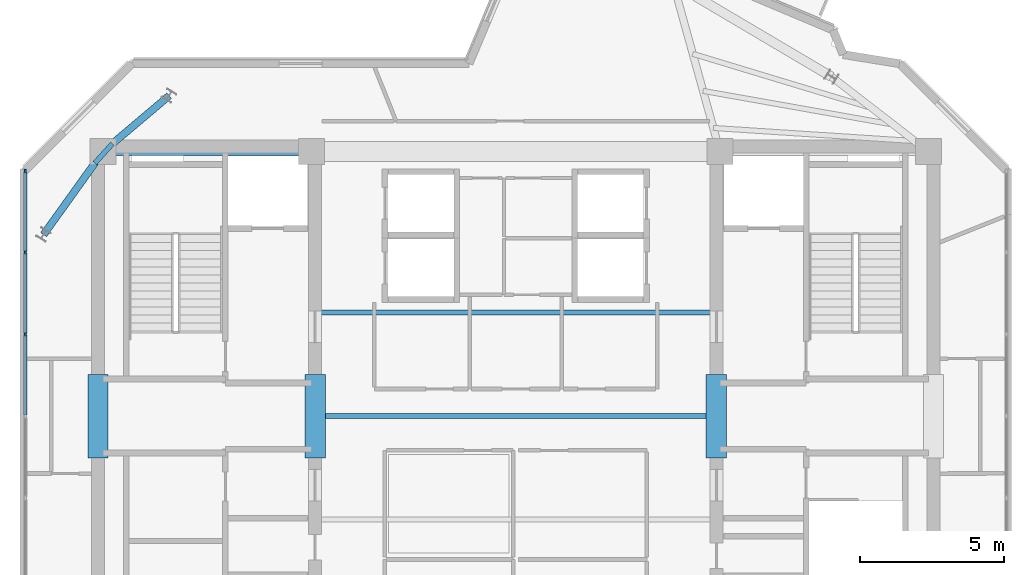
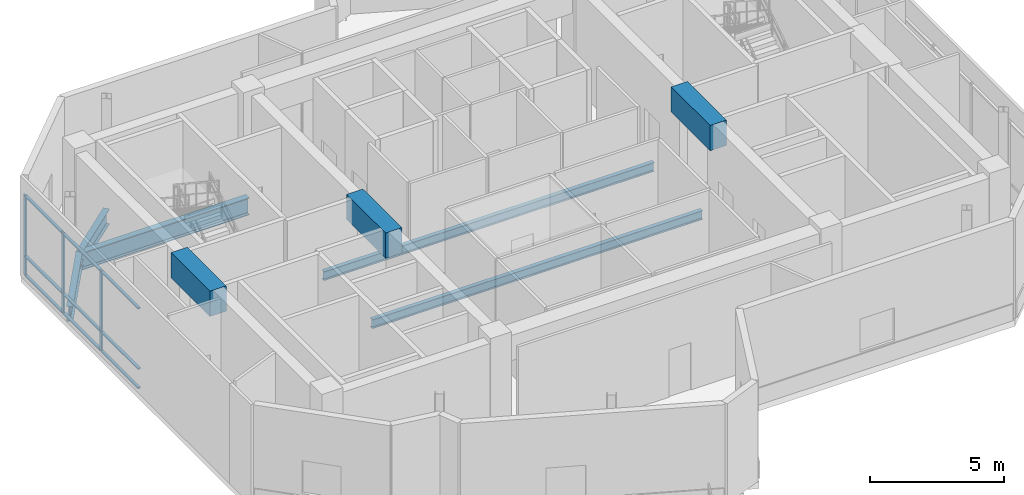
# One storey, part 3 of 11: 12 members, 9 beams, 1 element without a shape of its own.
"""IFC4 building model written with IfcOpenShell, lengths in metres."""

from ifc_helpers import new_model, si_unit, direction, frame, origin, origin_2d, place, context, subcontext, project, spatial, rectangle, i_section, extrude, source, transform, mapped, material, layer, layer_set, material_profile, profile_set, type_object, element, aggregate, save


model = new_model("IFC4")

# Units and contexts
model_context = context("Model", 3, precision=1e-05, world=origin(), true_north=direction((0.0, 1.0)))
body_context = subcontext(model_context, "Body", "Model", "MODEL_VIEW")
ifc_project = project(units=[si_unit("LENGTHUNIT", "METRE"), si_unit("AREAUNIT", "SQUARE_METRE"), si_unit("VOLUMEUNIT", "CUBIC_METRE"), si_unit("PLANEANGLEUNIT", "RADIAN"), si_unit("MASSUNIT", "GRAM", prefix="KILO")], contexts=[model_context])

# Site, building, storey
site_placement = place(None, origin())
site = spatial("IfcSite", under=ifc_project, at=site_placement, CompositionType="ELEMENT")
building_placement = place(site_placement, origin())
building = spatial("IfcBuilding", under=site, at=building_placement, Name="Zahravan Cultural Tower", CompositionType="ELEMENT")
storey_placement = place(building_placement, frame((0.0, 0.0, 365.85009765625)))
storey = spatial("IfcBuildingStorey", under=building, at=storey_placement, Name="L89", CompositionType="ELEMENT", Elevation=365.85009765625)

# Beams
ifc_material_1 = material(Name="Concrete C50/60", Category="concrete")
ifc_material_profile_1 = material_profile(ifc_material_1, rectangle(XDim=0.699951171875, YDim=1.14990234375, at=origin_2d()), Name="RC700X1150")
ifc_profile_set_1 = profile_set([ifc_material_profile_1], Name="Concrete C50/60")
beam_type_1 = type_object("IfcBeamType", Name="BM-LN-RC700X1150", PredefinedType="LINTEL", material=ifc_profile_set_1)
shared_shape_1 = source(origin(), body_context, "Body", "SweptSolid", [
    extrude(rectangle(XDim=0.699951171875, YDim=1.14990234375, at=origin_2d()), origin(), (0.0, 0.0, 1.0), 2.89990234375),
])
for number, where, z_axis, x_axis, name in (
    (1, (21.47509765625, 25.550048828125, 3.974853515625), (0.0, 1.0, 0.0), (-1.0, 0.0, 0.0), "L89 Beam LN-L89-PWW"),
    (2, (29.02490234375, 25.550048828125, 3.974853515625), (0.0, 1.0, 0.0), (-1.0, 0.0, 0.0), "L89 Beam LN-L89-PWE"),
    (3, (42.97509765625, 25.550048828125, 3.974853515625), (0.0, 1.0, 0.0), (-1.0, 0.0, 0.0), "L89 Beam LN-L89-PEW"),
):
    element("IfcBeam", number, at=place(storey_placement, frame(where, z_axis=z_axis, x_axis=x_axis)), inside=storey, type_object=beam_type_1, Name=name, PredefinedType="LINTEL", context=body_context, shape_type="MappedRepresentation", body=[
        mapped(shared_shape_1, transform((0.0, 0.0, 0.0), x_axis=(1.0, 0.0, 0.0), y_axis=(0.0, 1.0, 0.0), z_axis=(0.0, 0.0, 1.0), scale=1.0)),
    ])
ifc_material_2 = material(Name="Steel ASTM A992 Grade 50", Category="steel")
ifc_material_profile_2 = material_profile(ifc_material_2, i_section(OverallWidth=0.26611328125, OverallDepth=0.780029296875, WebThickness=0.0166015625, FlangeThickness=0.030029296875, FilletRadius=0.01904296875, at=origin_2d()), Name="W30X148")
ifc_profile_set_2 = profile_set([ifc_material_profile_2], Name="Steel ASTM A992 Grade 50")
beam_type_2 = type_object("IfcBeamType", Name="BM-G-W30X148", PredefinedType="BEAM", material=ifc_profile_set_2)
shared_shape_2 = source(origin(), body_context, "Body", "SweptSolid", [
    extrude(i_section(OverallWidth=0.26611328125, OverallDepth=0.780029296875, WebThickness=0.0166015625, FlangeThickness=0.030029296875, FilletRadius=0.01904296875, at=origin_2d()), origin(), (0.0, 0.0, 1.0), 7.25),
])
beam_1_placement = place(storey_placement, frame((21.64990234375, 36.199951171875, -0.690185546875), z_axis=(1.0, 0.0, 0.0), x_axis=(0.0, 1.0, 0.0)))
element("IfcBeam", 4, at=beam_1_placement, inside=storey, type_object=beam_type_2, Name="L89 Beam BG-L89-02", PredefinedType="BEAM", context=body_context, shape_type="MappedRepresentation", body=[
    mapped(shared_shape_2, transform((0.0, 0.0, 0.0), x_axis=(1.0, 0.0, 0.0), y_axis=(0.0, 1.0, 0.0), z_axis=(0.0, 0.0, 1.0), scale=1.0)),
])
ifc_material_profile_3 = material_profile(ifc_material_2, i_section(OverallWidth=0.177978515625, OverallDepth=0.406005859375, WebThickness=0.0078125, FlangeThickness=0.0126953125, FilletRadius=0.011962890625, at=origin_2d()), Name="W16X40")
ifc_profile_set_3 = profile_set([ifc_material_profile_3], Name="Steel ASTM A992 Grade 50")
beam_type_3 = type_object("IfcBeamType", Name="BM-J-W16X40", PredefinedType="JOIST", material=ifc_profile_set_3)
shared_shape_3 = source(origin(), body_context, "Body", "SweptSolid", [
    extrude(i_section(OverallWidth=0.177978515625, OverallDepth=0.406005859375, WebThickness=0.0078125, FlangeThickness=0.0126953125, FilletRadius=0.011962890625, at=origin_2d()), origin(), (0.0, 0.0, 1.0), 14.2001953125),
])
for number, where, z_axis, x_axis, name in (
    (5, (28.89990234375, 27.0, -0.503173828125), (1.0, 0.0, 0.0), (0.0, 1.0, 0.0), "L89 Beam BJ-L89-22"),
    (6, (28.89990234375, 30.60009765625, -0.503173828125), (1.0, 0.0, 0.0), (0.0, 1.0, 0.0), "L89 Beam BJ-L89-23"),
):
    element("IfcBeam", number, at=place(storey_placement, frame(where, z_axis=z_axis, x_axis=x_axis)), inside=storey, type_object=beam_type_3, Name=name, PredefinedType="JOIST", context=body_context, shape_type="MappedRepresentation", body=[
        mapped(shared_shape_3, transform((0.0, 0.0, 0.0), x_axis=(1.0, 0.0, 0.0), y_axis=(0.0, 1.0, 0.0), z_axis=(0.0, 0.0, 1.0), scale=1.0)),
    ])
shared_shape_4 = source(origin(), body_context, "Body", "SweptSolid", [
    extrude(i_section(OverallWidth=0.177978515625, OverallDepth=0.406005859375, WebThickness=0.0078125, FlangeThickness=0.0126953125, FilletRadius=0.011962890625, at=origin_2d()), origin(), (0.0, 0.0, 1.0), 0.91162109375),
])
beam_2_placement = place(storey_placement, frame((21.97119140625, 36.4716796875, -0.503173828125), z_axis=(-0.670590689022, -0.741827559341, 0.0), x_axis=(0.741827559341, -0.670590689022, 0.0)))
element("IfcBeam", 7, at=beam_2_placement, inside=storey, type_object=beam_type_3, Name="L89 Beam BJ-L89-48", PredefinedType="JOIST", context=body_context, shape_type="MappedRepresentation", body=[
    mapped(shared_shape_4, transform((0.0, 0.0, 0.0), x_axis=(1.0, 0.0, 0.0), y_axis=(0.0, 1.0, 0.0), z_axis=(0.0, 0.0, 1.0), scale=1.0)),
])
ifc_material_profile_4 = material_profile(ifc_material_2, i_section(OverallWidth=0.25390625, OverallDepth=0.68798828125, WebThickness=0.01318359375, FlangeThickness=0.02099609375, FilletRadius=0.01806640625, at=origin_2d()), Name="W27X102")
ifc_profile_set_4 = profile_set([ifc_material_profile_4], Name="Steel ASTM A992 Grade 50")
beam_type_4 = type_object("IfcBeamType", Name="BM-G-W27X102", PredefinedType="BEAM", material=ifc_profile_set_4)
shared_shape_5 = source(origin(), body_context, "Body", "SweptSolid", [
    extrude(i_section(OverallWidth=0.25390625, OverallDepth=0.68798828125, WebThickness=0.01318359375, FlangeThickness=0.02099609375, FilletRadius=0.01806640625, at=origin_2d()), origin(), (0.0, 0.0, 1.0), 3.00537109375),
])
beam_3_placement = place(storey_placement, frame((21.64990234375, 36.199951171875, -0.64404296875), z_axis=(0.763546494847, 0.645752855361, 0.0), x_axis=(-0.645752855361, 0.763546494847, 0.0)))
element("IfcBeam", 8, at=beam_3_placement, inside=storey, type_object=beam_type_4, Name="L89 Beam BG-L89-13", PredefinedType="BEAM", context=body_context, shape_type="MappedRepresentation", body=[
    mapped(shared_shape_5, transform((0.0, 0.0, 0.0), x_axis=(1.0, 0.0, 0.0), y_axis=(0.0, 1.0, 0.0), z_axis=(0.0, 0.0, 1.0), scale=1.0)),
])
shared_shape_6 = source(origin(), body_context, "Body", "SweptSolid", [
    extrude(i_section(OverallWidth=0.25390625, OverallDepth=0.68798828125, WebThickness=0.01318359375, FlangeThickness=0.02099609375, FilletRadius=0.01806640625, at=origin_2d()), origin(), (0.0, 0.0, 1.0), 3.5556640625),
])
beam_4_placement = place(storey_placement, frame((21.64990234375, 36.199951171875, -0.64404296875), z_axis=(-0.58288028137, -0.812558045674, 0.0), x_axis=(0.812558045674, -0.58288028137, 0.0)))
element("IfcBeam", 9, at=beam_4_placement, inside=storey, type_object=beam_type_4, Name="L89 Beam BG-L89-14", PredefinedType="BEAM", context=body_context, shape_type="MappedRepresentation", body=[
    mapped(shared_shape_6, transform((0.0, 0.0, 0.0), x_axis=(1.0, 0.0, 0.0), y_axis=(0.0, 1.0, 0.0), z_axis=(0.0, 0.0, 1.0), scale=1.0)),
])

# Curtain wall, members
ifc_material_3 = material(Name="Anodised bronze-aluminium mullion", Category="aluminium")
ifc_layer = layer(ifc_material_3, 0.14990234375)
ifc_layer_set = layer_set([ifc_layer], Name="Anodised bronze-aluminium mullion")
curtain_wall_type = type_object("IfcCurtainWallType", Name="CW-SYS-6", PredefinedType="USERDEFINED", material=ifc_layer_set)
curtain_wall_placement = place(storey_placement, origin())
curtain_wall = element("IfcCurtainWall", 10, at=curtain_wall_placement, inside=storey, type_object=curtain_wall_type, Name="L89 Recessed Curtain Wall CW-6.2", ObjectType="OBSERVATORY LANTERN", PredefinedType="USERDEFINED")
ifc_material_profile_5 = material_profile(ifc_material_3, rectangle(XDim=0.06005859375, YDim=0.14990234375, at=origin_2d()), Name="AL-M60X150")
ifc_profile_set_5 = profile_set([ifc_material_profile_5], Name="Anodised bronze-aluminium mullion")
member_type_1 = type_object("IfcMemberType", Name="CWM-CW-6", PredefinedType="MULLION", material=ifc_profile_set_5)
shared_shape_7 = source(origin(), body_context, "Body", "SweptSolid", [
    extrude(rectangle(XDim=0.06005859375, YDim=0.14990234375, at=origin_2d()), origin(), (0.0, 0.0, 1.0), 3.669921875),
])
member_1_placement = place(storey_placement, frame((18.93994140625, 29.847412109375, 0.0), z_axis=(0.0, 0.0, 1.0), x_axis=(-1.0, 0.0, 0.0)))
member_1 = element("IfcMember", 11, at=member_1_placement, type_object=member_type_1, Name="CW-6 mullion 5", PredefinedType="MULLION", context=body_context, shape_type="MappedRepresentation", body=[
    mapped(shared_shape_7, transform((0.0, 0.0, 0.0), x_axis=(1.0, 0.0, 0.0), y_axis=(0.0, 1.0, 0.0), z_axis=(0.0, 0.0, 1.0), scale=1.0)),
])
member_2_placement = place(storey_placement, frame((18.93994140625, 32.694580078125, 0.0), z_axis=(0.0, 0.0, 1.0), x_axis=(-1.0, 0.0, 0.0)))
member_2 = element("IfcMember", 12, at=member_2_placement, type_object=member_type_1, Name="CW-6 mullion 6", PredefinedType="MULLION", context=body_context, shape_type="MappedRepresentation", body=[
    mapped(shared_shape_7, transform((0.0, 0.0, 0.0), x_axis=(1.0, 0.0, 0.0), y_axis=(0.0, 1.0, 0.0), z_axis=(0.0, 0.0, 1.0), scale=1.0)),
])
member_3_placement = place(storey_placement, frame((18.93994140625, 35.511962890625, 0.0), z_axis=(0.0, 0.0, 1.0), x_axis=(-1.0, 0.0, 0.0)))
member_3 = element("IfcMember", 13, at=member_3_placement, type_object=member_type_1, Name="CW-6 mullion 7", PredefinedType="MULLION", context=body_context, shape_type="MappedRepresentation", body=[
    mapped(shared_shape_7, transform((0.0, 0.0, 0.0), x_axis=(1.0, 0.0, 0.0), y_axis=(0.0, 1.0, 0.0), z_axis=(0.0, 0.0, 1.0), scale=1.0)),
])
ifc_material_profile_6 = material_profile(ifc_material_3, rectangle(XDim=0.1201171875, YDim=0.06005859375, at=origin_2d()), Name="AL-T60X120")
ifc_profile_set_6 = profile_set([ifc_material_profile_6], Name="Anodised bronze-aluminium mullion")
member_type_2 = type_object("IfcMemberType", Name="CWT-CW-6", PredefinedType="USERDEFINED", material=ifc_profile_set_6)
shared_shape_8 = source(origin(), body_context, "Body", "SweptSolid", [
    extrude(rectangle(XDim=0.1201171875, YDim=0.06005859375, at=origin_2d()), origin(), (0.0, 0.0, 1.0), 2.75732421875),
])
member_4_placement = place(storey_placement, frame((18.93994140625, 32.724609375, 0.02978515625), z_axis=(0.0, 1.0, 0.0), x_axis=(-1.0, 0.0, 0.0)))
member_4 = element("IfcMember", 14, at=member_4_placement, type_object=member_type_2, Name="CW-6 transom 6.1", ObjectType="TRANSOM", PredefinedType="USERDEFINED", context=body_context, shape_type="MappedRepresentation", body=[
    mapped(shared_shape_8, transform((0.0, 0.0, 0.0), x_axis=(1.0, 0.0, 0.0), y_axis=(0.0, 1.0, 0.0), z_axis=(0.0, 0.0, 1.0), scale=1.0)),
])
member_5_placement = place(storey_placement, frame((18.93994140625, 32.724609375, 0.89990234375), z_axis=(0.0, 1.0, 0.0), x_axis=(-1.0, 0.0, 0.0)))
member_5 = element("IfcMember", 15, at=member_5_placement, type_object=member_type_2, Name="CW-6 transom 6.2", ObjectType="TRANSOM", PredefinedType="USERDEFINED", context=body_context, shape_type="MappedRepresentation", body=[
    mapped(shared_shape_8, transform((0.0, 0.0, 0.0), x_axis=(1.0, 0.0, 0.0), y_axis=(0.0, 1.0, 0.0), z_axis=(0.0, 0.0, 1.0), scale=1.0)),
])
member_6_placement = place(storey_placement, frame((18.93994140625, 32.724609375, 3.639892578125), z_axis=(0.0, 1.0, 0.0), x_axis=(-1.0, 0.0, 0.0)))
member_6 = element("IfcMember", 16, at=member_6_placement, type_object=member_type_2, Name="CW-6 transom 6.3", ObjectType="TRANSOM", PredefinedType="USERDEFINED", context=body_context, shape_type="MappedRepresentation", body=[
    mapped(shared_shape_8, transform((0.0, 0.0, 0.0), x_axis=(1.0, 0.0, 0.0), y_axis=(0.0, 1.0, 0.0), z_axis=(0.0, 0.0, 1.0), scale=1.0)),
])
shared_shape_9 = source(origin(), body_context, "Body", "SweptSolid", [
    extrude(rectangle(XDim=0.1201171875, YDim=0.06005859375, at=origin_2d()), origin(), (0.0, 0.0, 1.0), 2.787109375),
])
member_7_placement = place(storey_placement, frame((18.93994140625, 29.87744140625, 0.02978515625), z_axis=(0.0, 1.0, 0.0), x_axis=(-1.0, 0.0, 0.0)))
member_7 = element("IfcMember", 17, at=member_7_placement, type_object=member_type_2, Name="CW-6 transom 5.1", ObjectType="TRANSOM", PredefinedType="USERDEFINED", context=body_context, shape_type="MappedRepresentation", body=[
    mapped(shared_shape_9, transform((0.0, 0.0, 0.0), x_axis=(1.0, 0.0, 0.0), y_axis=(0.0, 1.0, 0.0), z_axis=(0.0, 0.0, 1.0), scale=1.0)),
])
member_8_placement = place(storey_placement, frame((18.93994140625, 29.87744140625, 0.89990234375), z_axis=(0.0, 1.0, 0.0), x_axis=(-1.0, 0.0, 0.0)))
member_8 = element("IfcMember", 18, at=member_8_placement, type_object=member_type_2, Name="CW-6 transom 5.2", ObjectType="TRANSOM", PredefinedType="USERDEFINED", context=body_context, shape_type="MappedRepresentation", body=[
    mapped(shared_shape_9, transform((0.0, 0.0, 0.0), x_axis=(1.0, 0.0, 0.0), y_axis=(0.0, 1.0, 0.0), z_axis=(0.0, 0.0, 1.0), scale=1.0)),
])
member_9_placement = place(storey_placement, frame((18.93994140625, 29.87744140625, 3.639892578125), z_axis=(0.0, 1.0, 0.0), x_axis=(-1.0, 0.0, 0.0)))
member_9 = element("IfcMember", 19, at=member_9_placement, type_object=member_type_2, Name="CW-6 transom 5.3", ObjectType="TRANSOM", PredefinedType="USERDEFINED", context=body_context, shape_type="MappedRepresentation", body=[
    mapped(shared_shape_9, transform((0.0, 0.0, 0.0), x_axis=(1.0, 0.0, 0.0), y_axis=(0.0, 1.0, 0.0), z_axis=(0.0, 0.0, 1.0), scale=1.0)),
])
shared_shape_10 = source(origin(), body_context, "Body", "SweptSolid", [
    extrude(rectangle(XDim=0.1201171875, YDim=0.06005859375, at=origin_2d()), origin(), (0.0, 0.0, 1.0), 2.787353515625),
])
member_10_placement = place(storey_placement, frame((18.93994140625, 27.030029296875, 0.02978515625), z_axis=(0.0, 1.0, 0.0), x_axis=(-1.0, 0.0, 0.0)))
member_10 = element("IfcMember", 20, at=member_10_placement, type_object=member_type_2, Name="CW-6 transom 4.1", ObjectType="TRANSOM", PredefinedType="USERDEFINED", context=body_context, shape_type="MappedRepresentation", body=[
    mapped(shared_shape_10, transform((0.0, 0.0, 0.0), x_axis=(1.0, 0.0, 0.0), y_axis=(0.0, 1.0, 0.0), z_axis=(0.0, 0.0, 1.0), scale=1.0)),
])
member_11_placement = place(storey_placement, frame((18.93994140625, 27.030029296875, 0.89990234375), z_axis=(0.0, 1.0, 0.0), x_axis=(-1.0, 0.0, 0.0)))
member_11 = element("IfcMember", 21, at=member_11_placement, type_object=member_type_2, Name="CW-6 transom 4.2", ObjectType="TRANSOM", PredefinedType="USERDEFINED", context=body_context, shape_type="MappedRepresentation", body=[
    mapped(shared_shape_10, transform((0.0, 0.0, 0.0), x_axis=(1.0, 0.0, 0.0), y_axis=(0.0, 1.0, 0.0), z_axis=(0.0, 0.0, 1.0), scale=1.0)),
])
member_12_placement = place(storey_placement, frame((18.93994140625, 27.030029296875, 3.639892578125), z_axis=(0.0, 1.0, 0.0), x_axis=(-1.0, 0.0, 0.0)))
member_12 = element("IfcMember", 22, at=member_12_placement, type_object=member_type_2, Name="CW-6 transom 4.3", ObjectType="TRANSOM", PredefinedType="USERDEFINED", context=body_context, shape_type="MappedRepresentation", body=[
    mapped(shared_shape_10, transform((0.0, 0.0, 0.0), x_axis=(1.0, 0.0, 0.0), y_axis=(0.0, 1.0, 0.0), z_axis=(0.0, 0.0, 1.0), scale=1.0)),
])
aggregate(curtain_wall, [member_1, member_2, member_3, member_10, member_11, member_12, member_7, member_8, member_9, member_4, member_5, member_6])

save(model, "model.ifc")
